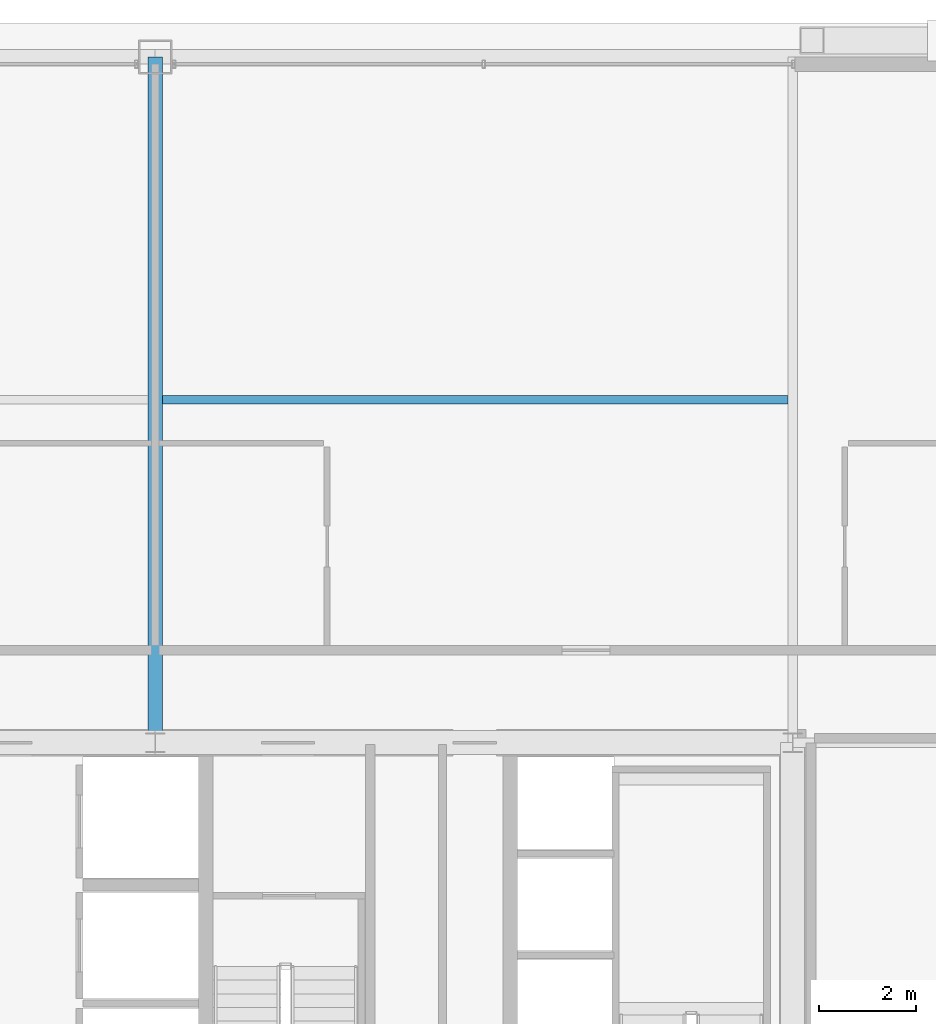
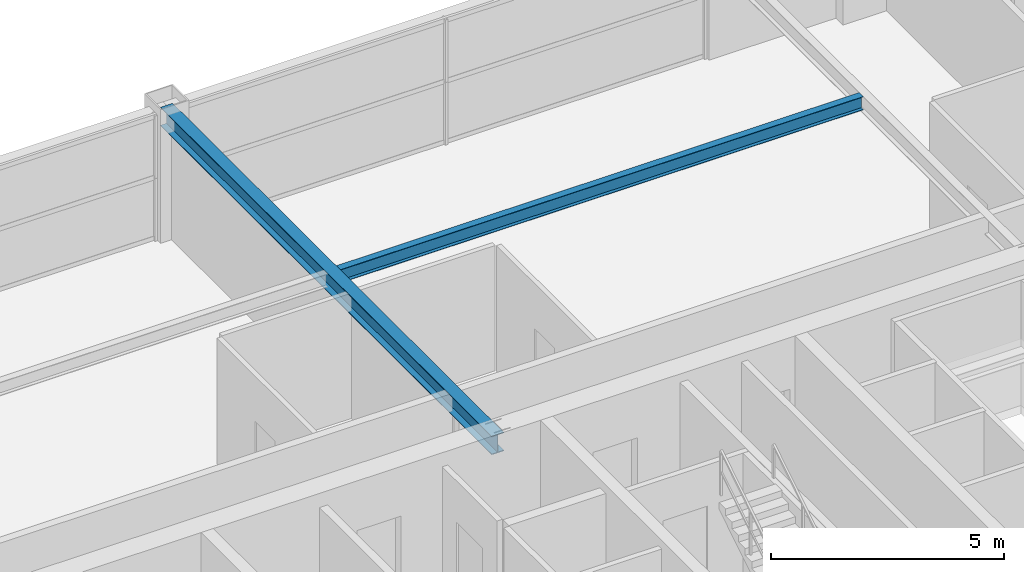
# One storey, part 26 of 35: 2 beams.
"""IFC4 building model written with IfcOpenShell, lengths in metres."""

import ifcopenshell
import ifcopenshell.guid

model = None  # the IFC model being written
_history = None  # IfcOwnerHistory: only IFC2X3 demands one
_inside = {}  # id of a spatial element -> (the spatial element, [elements in it])
_under = {}  # id of a project, library or spatial element -> (it, [spatial elements below it])
_declared = {}  # id of a project -> (the project, [libraries it declares])
_typed = {}  # id of a type object -> (the type object, [elements of that type])
_made_of = {}  # id of a material, layer set ... -> (it, [elements and type objects made of it])


def new_model(schema):
    """Start an empty IFC model of exactly this schema.

    Asked for "IFC4X3", IfcOpenShell would pick the latest addendum, in which some entities
    have other attributes; the version numbers below select the first issue.
    IFC2X3 requires an IfcOwnerHistory on every rooted entity: one is made here for all.
    """
    global model, _history
    if schema == "IFC4X3":
        model = ifcopenshell.file(schema_version=(4, 3, 0, 0))
    else:
        model = ifcopenshell.file(schema=schema)
    _inside.clear()
    _under.clear()
    _declared.clear()
    _typed.clear()
    _made_of.clear()
    _history = None
    if model.schema == "IFC2X3":
        org = make("IfcOrganization", Name="unknown")
        user = make(
            "IfcPersonAndOrganization",
            ThePerson=make("IfcPerson", FamilyName="unknown"),
            TheOrganization=org,
        )
        app = make(
            "IfcApplication",
            ApplicationDeveloper=org,
            Version="unknown",
            ApplicationFullName="unknown",
            ApplicationIdentifier="unknown",
        )
        _history = make(
            "IfcOwnerHistory",
            OwningUser=user,
            OwningApplication=app,
            ChangeAction="ADDED",
            CreationDate=0,
        )
    return model


def make(cls, **values):
    """One entity of the class cls with the attributes given. An attribute that is None is left unset."""
    return model.create_entity(
        cls, **{name: value for name, value in values.items() if value is not None}
    )


def rooted(cls, **values):
    """An entity with a GlobalId (a new one), such as an element, a storey or a relation."""
    return make(cls, GlobalId=ifcopenshell.guid.new(), OwnerHistory=_history, **values)


def si_unit(unit_type, name, prefix=None):
    """IfcSIUnit, for example si_unit("LENGTHUNIT", "METRE", prefix="MILLI")."""
    return make("IfcSIUnit", UnitType=unit_type, Prefix=prefix, Name=name)


def assignment(units):
    """IfcUnitAssignment: the units of a project."""
    return None if units is None else make("IfcUnitAssignment", Units=units)


def point(xyz):
    """IfcCartesianPoint."""
    return None if xyz is None else make("IfcCartesianPoint", Coordinates=xyz)


def direction(xyz):
    """IfcDirection."""
    return None if xyz is None else make("IfcDirection", DirectionRatios=xyz)


def frame(location, z_axis=None, x_axis=None):
    """IfcAxis2Placement3D, a coordinate frame: its origin and axes. An axis left out is left unset."""
    return make(
        "IfcAxis2Placement3D",
        Location=point(location),
        Axis=direction(z_axis),
        RefDirection=direction(x_axis),
    )


def frame_2d(location, x_axis=None):
    """IfcAxis2Placement2D, a coordinate frame in the plane: its origin and x axis."""
    return make(
        "IfcAxis2Placement2D", Location=point(location), RefDirection=direction(x_axis)
    )


def origin():
    """The frame at (0, 0, 0) with its axes left unset."""
    return frame((0.0, 0.0, 0.0))


def origin_2d():
    """The frame at (0, 0) in the plane with its x axis left unset."""
    return frame_2d((0.0, 0.0))


def place(relative_to, where):
    """IfcLocalPlacement: puts the frame where relative to a parent placement (None: the world)."""
    return make(
        "IfcLocalPlacement", PlacementRelTo=relative_to, RelativePlacement=where
    )


def context(
    kind, dimensions, precision=None, world=None, true_north=None, identifier=None
):
    """IfcGeometricRepresentationContext, for example the 3D "Model" context."""
    return make(
        "IfcGeometricRepresentationContext",
        ContextIdentifier=identifier,
        ContextType=kind,
        CoordinateSpaceDimension=dimensions,
        Precision=precision,
        WorldCoordinateSystem=world,
        TrueNorth=true_north,
    )


def subcontext(parent, identifier, kind, view, scale=None):
    """IfcGeometricRepresentationSubContext, for example "Body" below "Model"."""
    return make(
        "IfcGeometricRepresentationSubContext",
        ContextIdentifier=identifier,
        ContextType=kind,
        ParentContext=parent,
        TargetScale=scale,
        TargetView=view,
    )


def project(units=None, contexts=None):
    """IfcProject with its units and contexts."""
    return rooted(
        "IfcProject",
        Name="project",
        RepresentationContexts=contexts,
        UnitsInContext=assignment(units),
    )


def spatial(cls, under=None, at=None, **own):
    """A site, building, storey or space (cls), placed at a placement, below another one or the project."""
    s = rooted(cls, ObjectPlacement=at, **own)
    if under is not None:
        _under.setdefault(under.id(), (under, []))[1].append(s)
    return s


def profile(cls, at=None, kind="AREA", **sizes):
    """A parametric profile (cls). Its sizes go by their IFC names, for example OverallWidth=200.0."""
    return make(cls, ProfileType=kind, Position=at, **sizes)


def i_section(**sizes):
    """IfcIShapeProfileDef."""
    return profile("IfcIShapeProfileDef", **sizes)


def extrude(swept, where, along, depth):
    """IfcExtrudedAreaSolid: the profile swept, set in the frame where, extruded along a direction by depth."""
    return make(
        "IfcExtrudedAreaSolid",
        SweptArea=swept,
        Position=where,
        ExtrudedDirection=direction(along),
        Depth=depth,
    )


def shape(context_of_items, identifier, shape_type, items):
    """IfcShapeRepresentation: the items that make up one representation, for example the "Body"."""
    return make(
        "IfcShapeRepresentation",
        ContextOfItems=context_of_items,
        RepresentationIdentifier=identifier,
        RepresentationType=shape_type,
        Items=items,
    )


def source(mapping_origin, context_of_items, identifier, shape_type, items):
    """IfcRepresentationMap: a shape defined once, which mapped items show again and again."""
    return make(
        "IfcRepresentationMap",
        MappingOrigin=mapping_origin,
        MappedRepresentation=shape(context_of_items, identifier, shape_type, items),
    )


def transform(
    local_origin,
    x_axis=None,
    y_axis=None,
    z_axis=None,
    scale=None,
    scale2=None,
    scale3=None,
    uniform=True,
):
    """IfcCartesianTransformationOperator3D, or its non-uniform kind. x_axis, y_axis, z_axis: its Axis1, 2, 3."""
    if uniform:
        return make(
            "IfcCartesianTransformationOperator3D",
            Axis1=direction(x_axis),
            Axis2=direction(y_axis),
            LocalOrigin=point(local_origin),
            Scale=scale,
            Axis3=direction(z_axis),
        )
    return make(
        "IfcCartesianTransformationOperator3DnonUniform",
        Axis1=direction(x_axis),
        Axis2=direction(y_axis),
        LocalOrigin=point(local_origin),
        Scale=scale,
        Axis3=direction(z_axis),
        Scale2=scale2,
        Scale3=scale3,
    )


def mapped(mapping_source, mapping_target):
    """IfcMappedItem: shows the shape of a source again, moved by a transform."""
    return make(
        "IfcMappedItem", MappingSource=mapping_source, MappingTarget=mapping_target
    )


def material(Name=None, Category=None):
    """IfcMaterial."""
    return make("IfcMaterial", Name=Name, Category=Category)


def material_profile(
    of_material, cross_section, Name=None, Category=None, Priority=None
):
    """IfcMaterialProfile: a cross section and its material."""
    return make(
        "IfcMaterialProfile",
        Name=Name,
        Material=of_material,
        Profile=cross_section,
        Priority=Priority,
        Category=Category,
    )


def profile_set(profiles, Name=None, composite=None):
    """IfcMaterialProfileSet."""
    return make(
        "IfcMaterialProfileSet",
        Name=Name,
        MaterialProfiles=profiles,
        CompositeProfile=composite,
    )


def made_of(thing, what):
    """Note that an element or type object is made of a material, layer set ...; save() writes the relation."""
    if what is not None:
        _made_of.setdefault(what.id(), (what, []))[1].append(thing)
    return thing


def type_object(cls, material=None, **own):
    """A type object (cls), such as IfcWallType, which elements share."""
    return made_of(rooted(cls, **own), material)


def element(
    cls,
    number,
    at=None,
    inside=None,
    cuts=None,
    type_object=None,
    material=None,
    context=None,
    identifier="Body",
    shape_type=None,
    held_by="IfcProductDefinitionShape",
    body=None,
    shapes=None,
    **own,
):
    """One element of the class cls, such as IfcWall. Its Tag is "e" and its number.

    at: its placement. inside: the storey or other place that contains it. cuts: it is an
    opening in that element (IfcRelVoidsElement). A single representation is given by context,
    identifier, shape_type and body (its items); several are given by shapes. held_by: the class
    of the entity that holds the representations. save() writes the other relations.
    """
    e = rooted(cls, Tag="e%d" % number, ObjectPlacement=at, **own)
    if body is not None:
        shapes = [shape(context, identifier, shape_type, body)]
    if shapes is not None:
        e.Representation = make(held_by, Representations=shapes)
    if inside is not None:
        _inside.setdefault(inside.id(), (inside, []))[1].append(e)
    if cuts is not None:
        rooted(
            "IfcRelVoidsElement", RelatingBuildingElement=cuts, RelatedOpeningElement=e
        )
    if type_object is not None:
        _typed.setdefault(type_object.id(), (type_object, []))[1].append(e)
    return made_of(e, material)


def aggregate(whole, parts):
    """IfcRelAggregates: a whole, such as a stair, and the parts it consists of."""
    return rooted("IfcRelAggregates", RelatingObject=whole, RelatedObjects=parts)


def save(model, path):
    """Write the relations noted so far, then the file.

    IfcRelAggregates (storeys below a building ...), IfcRelContainedInSpatialStructure (elements
    in a storey), IfcRelDefinesByType, IfcRelAssociatesMaterial and IfcRelDeclares: one each for
    every whole, place, type object, material and project.
    """
    for whole, parts in _under.values():
        aggregate(whole, parts)
    for where, things in _inside.values():
        rooted(
            "IfcRelContainedInSpatialStructure",
            RelatedElements=things,
            RelatingStructure=where,
        )
    for kind, things in _typed.values():
        rooted("IfcRelDefinesByType", RelatedObjects=things, RelatingType=kind)
    for what, things in _made_of.values():
        rooted("IfcRelAssociatesMaterial", RelatedObjects=things, RelatingMaterial=what)
    for by, libraries in _declared.values():
        rooted("IfcRelDeclares", RelatingContext=by, RelatedDefinitions=libraries)
    model.write(path)


model = new_model("IFC4")

# Units and contexts
model_context = context("Model", 3, precision=1e-05, world=origin(), true_north=direction((0.0, 1.0)))
body_context = subcontext(model_context, "Body", "Model", "MODEL_VIEW")
ifc_project = project(units=[si_unit("LENGTHUNIT", "METRE"), si_unit("AREAUNIT", "SQUARE_METRE"), si_unit("VOLUMEUNIT", "CUBIC_METRE"), si_unit("PLANEANGLEUNIT", "RADIAN"), si_unit("MASSUNIT", "GRAM", prefix="KILO"), si_unit("THERMODYNAMICTEMPERATUREUNIT", "KELVIN"), si_unit("POWERUNIT", "WATT")], contexts=[model_context])

# Site, building, storey
site_placement = place(None, origin())
site = spatial("IfcSite", under=ifc_project, at=site_placement, CompositionType="ELEMENT")
building_placement = place(site_placement, origin())
building = spatial("IfcBuilding", under=site, at=building_placement, Name="Yuzanri Waterfront Tower", CompositionType="ELEMENT")
storey_placement = place(building_placement, frame((0.0, 0.0, 227.60009765625)))
storey = spatial("IfcBuildingStorey", under=building, at=storey_placement, Name="L60", CompositionType="ELEMENT", Elevation=227.60009765625)

# Beams
ifc_material_1 = material(Name="Steel Q355B", Category="steel")
ifc_material_profile_1 = material_profile(ifc_material_1, i_section(OverallWidth=0.300048828125, OverallDepth=0.488037109375, WebThickness=0.010986328125, FlangeThickness=0.01806640625, at=origin_2d()), Name="HM 488x300x11x18")
ifc_profile_set_1 = profile_set([ifc_material_profile_1], Name="Steel Q355B")
beam_type_1 = type_object("IfcBeamType", Name="Primary Floor Girder Q355B HM 488x300", PredefinedType="BEAM", material=ifc_profile_set_1)
shared_shape_1 = source(origin(), body_context, "Body", "SweptSolid", [
    extrude(i_section(OverallWidth=0.300048828125, OverallDepth=0.488037109375, WebThickness=0.010986328125, FlangeThickness=0.01806640625, at=origin_2d()), origin(), (0.0, 0.0, 1.0), 14.199951171875),
])
beam_1_placement = place(storey_placement, frame((37.0, 32.199951171875, 3.035888671875), z_axis=(0.0, 1.0, 0.0), x_axis=(-1.0, 0.0, 0.0)))
element("IfcBeam", 1, at=beam_1_placement, inside=storey, type_object=beam_type_1, Name="L60 North Grid Girder", PredefinedType="BEAM", context=body_context, shape_type="MappedRepresentation", body=[
    mapped(shared_shape_1, transform((0.0, 0.0, 0.0), scale=1.0)),
])
ifc_material_2 = material(Name="Steel Q355B", Category="steel")
ifc_material_profile_2 = material_profile(ifc_material_2, i_section(OverallWidth=0.175048828125, OverallDepth=0.35009765625, WebThickness=0.007080078125, FlangeThickness=0.010986328125, at=origin_2d()), Name="HN 350x175x7x11")
ifc_profile_set_2 = profile_set([ifc_material_profile_2], Name="Steel Q355B")
beam_type_2 = type_object("IfcBeamType", Name="Floor Joist Q355B HN 350x175", PredefinedType="JOIST", material=ifc_profile_set_2)
shared_shape_2 = source(origin(), body_context, "Body", "SweptSolid", [
    extrude(i_section(OverallWidth=0.175048828125, OverallDepth=0.35009765625, WebThickness=0.007080078125, FlangeThickness=0.010986328125, at=origin_2d()), origin(), (0.0, 0.0, 1.0), 12.9501953125),
])
beam_2_placement = place(storey_placement, frame((37.14990234375, 39.300048828125, 3.10498046875), z_axis=(1.0, 0.0, 0.0), x_axis=(0.0, 1.0, 0.0)))
element("IfcBeam", 2, at=beam_2_placement, inside=storey, type_object=beam_type_2, Name="L60 North Bay Joist E", PredefinedType="JOIST", context=body_context, shape_type="MappedRepresentation", body=[
    mapped(shared_shape_2, transform((0.0, 0.0, 0.0), scale=1.0)),
])

save(model, "model.ifc")
